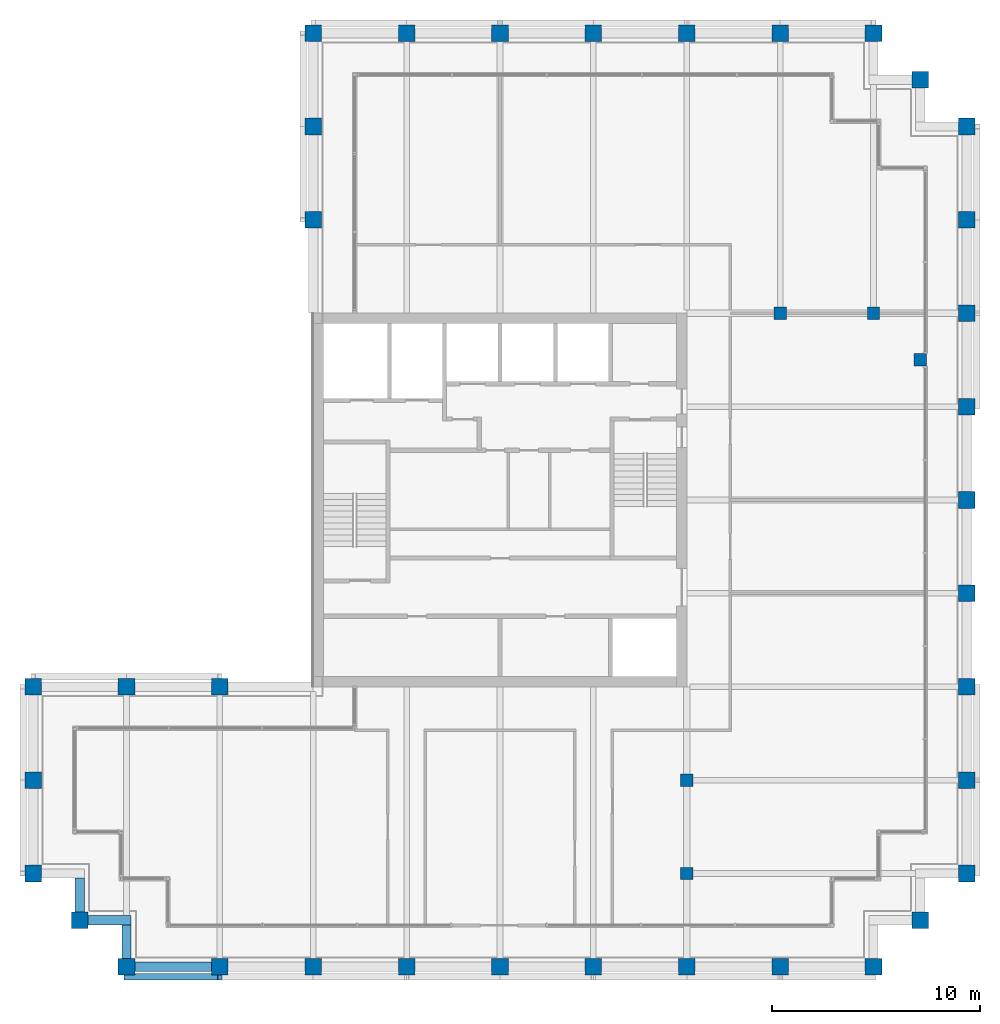
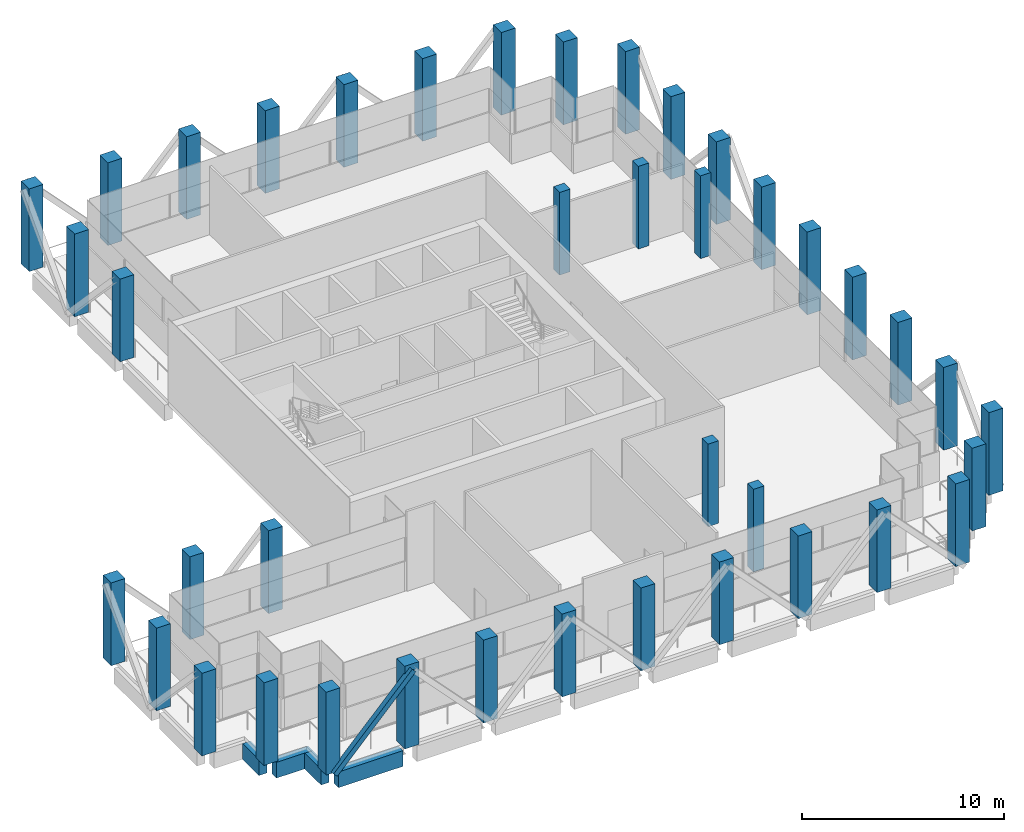
# One storey, part 1 of 21: 40 columns, 4 beams, 1 member.
"""IFC4 building model written with IfcOpenShell, lengths in metres."""

from ifc_helpers import new_model, si_unit, direction, frame, origin, origin_2d, place, context, subcontext, project, spatial, rectangle, hollow_rectangle, extrude, material, material_profile, profile_set, type_object, element, save


model = new_model("IFC4")

# Units and contexts
model_context = context("Model", 3, precision=1e-05, world=origin(), true_north=direction((0.0, 1.0)))
body_context = subcontext(model_context, "Body", "Model", "MODEL_VIEW")
ifc_project = project(units=[si_unit("LENGTHUNIT", "METRE"), si_unit("AREAUNIT", "SQUARE_METRE"), si_unit("VOLUMEUNIT", "CUBIC_METRE"), si_unit("PLANEANGLEUNIT", "RADIAN"), si_unit("MASSUNIT", "GRAM", prefix="KILO")], contexts=[model_context])

# Site, building, storey
site_placement = place(None, origin())
site = spatial("IfcSite", under=ifc_project, at=site_placement, CompositionType="ELEMENT")
building_placement = place(site_placement, origin())
building = spatial("IfcBuilding", under=site, at=building_placement, Name="Altepetl Exchange Towers", CompositionType="ELEMENT")
storey_placement = place(building_placement, frame((0.0, 0.0, 246.0)))
storey = spatial("IfcBuildingStorey", under=building, at=storey_placement, Name="L63 Refuge", CompositionType="ELEMENT", Elevation=246.0)

# Columns
ifc_material_1 = material(Name="Concrete C70/85", Category="concrete")
ifc_material_profile_1 = material_profile(ifc_material_1, rectangle(XDim=0.60009765625, YDim=0.60009765625, at=origin_2d()), Name="600 x 600")
ifc_profile_set_1 = profile_set([ifc_material_profile_1], Name="Concrete C70/85")
column_type_1 = type_object("IfcColumnType", Name="Interior column 600", PredefinedType="COLUMN", material=ifc_profile_set_1)
for number, where, name in (
    (1, (58.5, 31.5, 0.0), "col:A:L63:035"),
    (2, (58.5, 36.0, 0.0), "col:A:L63:036"),
    (3, (63.0, 58.5, 0.0), "col:A:L63:037"),
    (4, (67.5, 58.5, 0.0), "col:A:L63:038"),
    (5, (69.75, 56.25, 0.0), "col:A:L63:039"),
):
    element("IfcColumn", number, at=place(storey_placement, frame(where)), inside=storey, type_object=column_type_1, Name=name, PredefinedType="COLUMN", context=body_context, shape_type="SweptSolid", body=[
        extrude(rectangle(XDim=0.60009765625, YDim=0.60009765625, at=origin_2d()), origin(), (0.0, 0.0, 1.0), 5.0),
    ])
ifc_material_2 = material(Name="Concrete C70/85 precast with cantera amarilla facing", Category="concrete")
ifc_material_profile_2 = material_profile(ifc_material_2, rectangle(XDim=0.800048828125, YDim=0.800048828125, at=origin_2d()), Name="800 x 800")
ifc_profile_set_2 = profile_set([ifc_material_profile_2], Name="Concrete C70/85 precast with cantera amarilla facing")
column_type_2 = type_object("IfcColumnType", Name="Perimeter column 800 cantera amarilla", PredefinedType="COLUMN", material=ifc_profile_set_2)
for number, where, name in (
    (6, (58.5, 27.0, 0.0), "col:A:L63:006"),
    (7, (63.0, 27.0, 0.0), "col:A:L63:007"),
    (8, (67.5, 27.0, 0.0), "col:A:L63:008"),
    (9, (69.75, 29.25, 0.0), "col:A:L63:009"),
    (10, (72.0, 31.5, 0.0), "col:A:L63:010"),
    (11, (72.0, 36.0, 0.0), "col:A:L63:011"),
    (12, (72.0, 40.5, 0.0), "col:A:L63:012"),
    (13, (72.0, 45.0, 0.0), "col:A:L63:013"),
    (14, (72.0, 49.5, 0.0), "col:A:L63:014"),
    (15, (72.0, 54.0, 0.0), "col:A:L63:015"),
):
    element("IfcColumn", number, at=place(storey_placement, frame(where)), inside=storey, type_object=column_type_2, Name=name, PredefinedType="COLUMN", context=body_context, shape_type="SweptSolid", body=[
        extrude(rectangle(XDim=0.800048828125, YDim=0.800048828125, at=origin_2d()), origin(), (0.0, 0.0, 1.0), 5.0),
    ])
ifc_material_3 = material(Name="Concrete C70/85 precast with cantera blanca facing", Category="concrete")
ifc_material_profile_3 = material_profile(ifc_material_3, rectangle(XDim=0.800048828125, YDim=0.800048828125, at=origin_2d()), Name="800 x 800")
ifc_profile_set_3 = profile_set([ifc_material_profile_3], Name="Concrete C70/85 precast with cantera blanca facing")
column_type_3 = type_object("IfcColumnType", Name="Perimeter column 800 cantera blanca", PredefinedType="COLUMN", material=ifc_profile_set_3)
for number, where, name in (
    (16, (31.5, 27.0, 0.0), "col:A:L63:000"),
    (17, (36.0, 27.0, 0.0), "col:A:L63:001"),
    (18, (40.5, 27.0, 0.0), "col:A:L63:002"),
    (19, (45.0, 27.0, 0.0), "col:A:L63:003"),
    (20, (49.5, 27.0, 0.0), "col:A:L63:004"),
    (21, (54.0, 27.0, 0.0), "col:A:L63:005"),
    (22, (27.0, 36.0, 0.0), "col:A:L63:032"),
    (23, (27.0, 31.5, 0.0), "col:A:L63:033"),
    (24, (29.25, 29.25, 0.0), "col:A:L63:034"),
):
    element("IfcColumn", number, at=place(storey_placement, frame(where)), inside=storey, type_object=column_type_3, Name=name, PredefinedType="COLUMN", context=body_context, shape_type="SweptSolid", body=[
        extrude(rectangle(XDim=0.800048828125, YDim=0.800048828125, at=origin_2d()), origin(), (0.0, 0.0, 1.0), 5.0),
    ])
ifc_material_4 = material(Name="Concrete C70/85 precast with cantera rosa facing", Category="concrete")
ifc_material_profile_4 = material_profile(ifc_material_4, rectangle(XDim=0.800048828125, YDim=0.800048828125, at=origin_2d()), Name="800 x 800")
ifc_profile_set_4 = profile_set([ifc_material_profile_4], Name="Concrete C70/85 precast with cantera rosa facing")
column_type_4 = type_object("IfcColumnType", Name="Perimeter column 800 cantera rosa", PredefinedType="COLUMN", material=ifc_profile_set_4)
for number, where, name in (
    (25, (72.0, 58.5, 0.0), "col:A:L63:016"),
    (26, (72.0, 63.0, 0.0), "col:A:L63:017"),
    (27, (72.0, 67.5, 0.0), "col:A:L63:018"),
    (28, (69.75, 69.75, 0.0), "col:A:L63:019"),
    (29, (67.5, 72.0, 0.0), "col:A:L63:020"),
    (30, (63.0, 72.0, 0.0), "col:A:L63:021"),
    (31, (58.5, 72.0, 0.0), "col:A:L63:022"),
    (32, (54.0, 72.0, 0.0), "col:A:L63:023"),
    (33, (49.5, 72.0, 0.0), "col:A:L63:024"),
    (34, (45.0, 72.0, 0.0), "col:A:L63:025"),
):
    element("IfcColumn", number, at=place(storey_placement, frame(where)), inside=storey, type_object=column_type_4, Name=name, PredefinedType="COLUMN", context=body_context, shape_type="SweptSolid", body=[
        extrude(rectangle(XDim=0.800048828125, YDim=0.800048828125, at=origin_2d()), origin(), (0.0, 0.0, 1.0), 5.0),
    ])
ifc_material_5 = material(Name="Concrete C70/85 precast with tezontle facing", Category="concrete")
ifc_material_profile_5 = material_profile(ifc_material_5, rectangle(XDim=0.800048828125, YDim=0.800048828125, at=origin_2d()), Name="800 x 800")
ifc_profile_set_5 = profile_set([ifc_material_profile_5], Name="Concrete C70/85 precast with tezontle facing")
column_type_5 = type_object("IfcColumnType", Name="Perimeter column 800 tezontle", PredefinedType="COLUMN", material=ifc_profile_set_5)
for number, where, name in (
    (35, (40.5, 72.0, 0.0), "col:A:L63:026"),
    (36, (40.5, 67.5, 0.0), "col:A:L63:027"),
    (37, (40.5, 63.0, 0.0), "col:A:L63:028"),
    (38, (36.0, 40.5, 0.0), "col:A:L63:029"),
    (39, (31.5, 40.5, 0.0), "col:A:L63:030"),
    (40, (27.0, 40.5, 0.0), "col:A:L63:031"),
):
    element("IfcColumn", number, at=place(storey_placement, frame(where)), inside=storey, type_object=column_type_5, Name=name, PredefinedType="COLUMN", context=body_context, shape_type="SweptSolid", body=[
        extrude(rectangle(XDim=0.800048828125, YDim=0.800048828125, at=origin_2d()), origin(), (0.0, 0.0, 1.0), 5.0),
    ])

# Member
ifc_material_6 = material(Name="Steel S355", Category="steel")
ifc_material_profile_6 = material_profile(ifc_material_6, hollow_rectangle(XDim=0.304931640625, YDim=0.304931640625, WallThickness=0.01171875, at=origin_2d()), Name="HSS305X305X12.7")
ifc_profile_set_6 = profile_set([ifc_material_profile_6], Name="Steel S355")
member_type = type_object("IfcMemberType", Name="Belt diagonal HSS305X305X12.7", PredefinedType="BRACE", material=ifc_profile_set_6)
member_placement = place(storey_placement, frame((31.5, 26.52001953125, 0.0), z_axis=(0.687744647911, 0.0, 0.725952683906), x_axis=(0.0, 1.0, 0.0)))
element("IfcMember", 41, at=member_placement, inside=storey, type_object=member_type, Name="brc:A:L63:000", PredefinedType="BRACE", context=body_context, shape_type="SweptSolid", body=[
    extrude(hollow_rectangle(XDim=0.304931640625, YDim=0.304931640625, WallThickness=0.01171875, at=origin_2d()), origin(), (0.0, 0.0, 1.0), 6.543212890625),
])

# Beams
ifc_material_7 = material(Name="Concrete C50/60 precast with cantera blanca facing", Category="concrete")
ifc_material_profile_7 = material_profile(ifc_material_7, rectangle(XDim=0.449951171875, YDim=0.949951171875, at=origin_2d()), Name="450 x 950")
ifc_profile_set_7 = profile_set([ifc_material_profile_7], Name="Concrete C50/60 precast with cantera blanca facing")
beam_type = type_object("IfcBeamType", Name="Spandrel beam 450x950 cantera blanca", PredefinedType="SPANDREL", material=ifc_profile_set_7)
beam_1_placement = place(storey_placement, frame((31.89990234375, 27.0, -0.675048828125), z_axis=(1.0, 0.0, 0.0), x_axis=(0.0, 1.0, 0.0)))
element("IfcBeam", 42, at=beam_1_placement, inside=storey, type_object=beam_type, Name="sp:A:L63:000", PredefinedType="SPANDREL", context=body_context, shape_type="SweptSolid", body=[
    extrude(rectangle(XDim=0.449951171875, YDim=0.949951171875, at=origin_2d()), origin(), (0.0, 0.0, 1.0), 3.7001953125),
])
beam_2_placement = place(storey_placement, frame((29.25, 31.27490234375, -0.675048828125), z_axis=(0.0, -1.0, 0.0), x_axis=(1.0, 0.0, 0.0)))
element("IfcBeam", 43, at=beam_2_placement, inside=storey, type_object=beam_type, Name="sp:A:L63:039", PredefinedType="SPANDREL", context=body_context, shape_type="SweptSolid", body=[
    extrude(rectangle(XDim=0.449951171875, YDim=0.949951171875, at=origin_2d()), origin(), (0.0, 0.0, 1.0), 1.625),
])
beam_3_placement = place(storey_placement, frame((29.64990234375, 29.25, -0.675048828125), z_axis=(1.0, 0.0, 0.0), x_axis=(0.0, 1.0, 0.0)))
element("IfcBeam", 44, at=beam_3_placement, inside=storey, type_object=beam_type, Name="sp:A:L63:040", PredefinedType="SPANDREL", context=body_context, shape_type="SweptSolid", body=[
    extrude(rectangle(XDim=0.449951171875, YDim=0.949951171875, at=origin_2d()), origin(), (0.0, 0.0, 1.0), 2.0751953125),
])
beam_4_placement = place(storey_placement, frame((31.5, 29.02490234375, -0.675048828125), z_axis=(0.0, -1.0, 0.0), x_axis=(1.0, 0.0, 0.0)))
element("IfcBeam", 45, at=beam_4_placement, inside=storey, type_object=beam_type, Name="sp:A:L63:041", PredefinedType="SPANDREL", context=body_context, shape_type="SweptSolid", body=[
    extrude(rectangle(XDim=0.449951171875, YDim=0.949951171875, at=origin_2d()), origin(), (0.0, 0.0, 1.0), 1.625),
])

save(model, "model.ifc")
